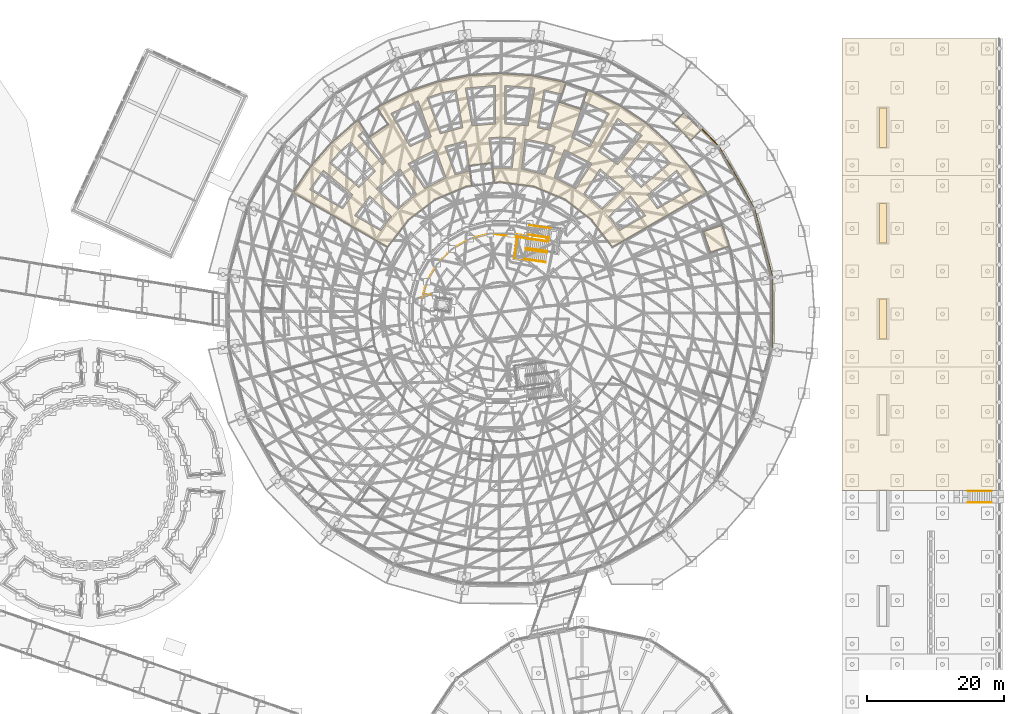
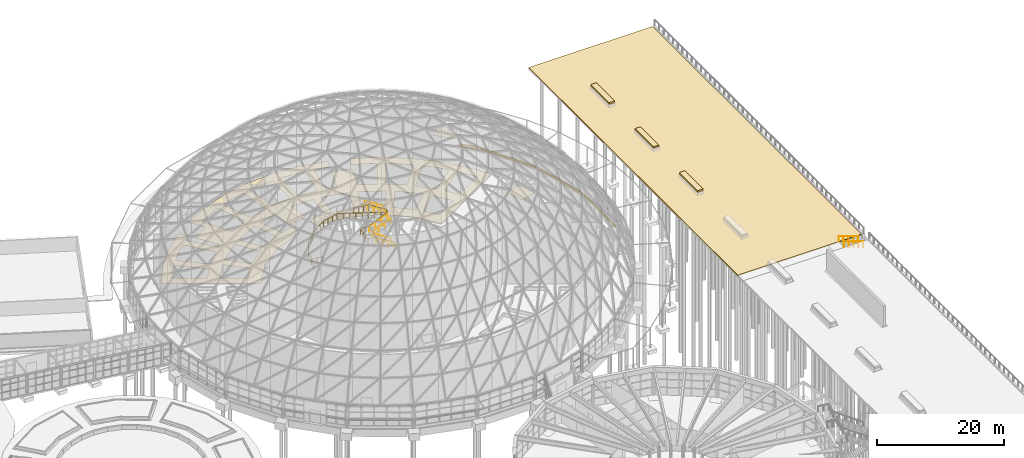
# One storey, part 223 of 226: 11 coverings, 10 railings.
"""IFC4 building model written with IfcOpenShell, lengths in metres."""

import ifcopenshell
import ifcopenshell.guid

model = None  # the IFC model being written
_history = None  # IfcOwnerHistory: only IFC2X3 demands one
_inside = {}  # id of a spatial element -> (the spatial element, [elements in it])
_under = {}  # id of a project, library or spatial element -> (it, [spatial elements below it])
_declared = {}  # id of a project -> (the project, [libraries it declares])
_typed = {}  # id of a type object -> (the type object, [elements of that type])
_made_of = {}  # id of a material, layer set ... -> (it, [elements and type objects made of it])


def new_model(schema):
    """Start an empty IFC model of exactly this schema.

    Asked for "IFC4X3", IfcOpenShell would pick the latest addendum, in which some entities
    have other attributes; the version numbers below select the first issue.
    IFC2X3 requires an IfcOwnerHistory on every rooted entity: one is made here for all.
    """
    global model, _history
    if schema == "IFC4X3":
        model = ifcopenshell.file(schema_version=(4, 3, 0, 0))
    else:
        model = ifcopenshell.file(schema=schema)
    _inside.clear()
    _under.clear()
    _declared.clear()
    _typed.clear()
    _made_of.clear()
    _history = None
    if model.schema == "IFC2X3":
        org = make("IfcOrganization", Name="unknown")
        user = make(
            "IfcPersonAndOrganization",
            ThePerson=make("IfcPerson", FamilyName="unknown"),
            TheOrganization=org,
        )
        app = make(
            "IfcApplication",
            ApplicationDeveloper=org,
            Version="unknown",
            ApplicationFullName="unknown",
            ApplicationIdentifier="unknown",
        )
        _history = make(
            "IfcOwnerHistory",
            OwningUser=user,
            OwningApplication=app,
            ChangeAction="ADDED",
            CreationDate=0,
        )
    return model


def make(cls, **values):
    """One entity of the class cls with the attributes given. An attribute that is None is left unset."""
    return model.create_entity(
        cls, **{name: value for name, value in values.items() if value is not None}
    )


def rooted(cls, **values):
    """An entity with a GlobalId (a new one), such as an element, a storey or a relation."""
    return make(cls, GlobalId=ifcopenshell.guid.new(), OwnerHistory=_history, **values)


def si_unit(unit_type, name, prefix=None):
    """IfcSIUnit, for example si_unit("LENGTHUNIT", "METRE", prefix="MILLI")."""
    return make("IfcSIUnit", UnitType=unit_type, Prefix=prefix, Name=name)


def assignment(units):
    """IfcUnitAssignment: the units of a project."""
    return None if units is None else make("IfcUnitAssignment", Units=units)


def point(xyz):
    """IfcCartesianPoint."""
    return None if xyz is None else make("IfcCartesianPoint", Coordinates=xyz)


def direction(xyz):
    """IfcDirection."""
    return None if xyz is None else make("IfcDirection", DirectionRatios=xyz)


def frame(location, z_axis=None, x_axis=None):
    """IfcAxis2Placement3D, a coordinate frame: its origin and axes. An axis left out is left unset."""
    return make(
        "IfcAxis2Placement3D",
        Location=point(location),
        Axis=direction(z_axis),
        RefDirection=direction(x_axis),
    )


def frame_2d(location, x_axis=None):
    """IfcAxis2Placement2D, a coordinate frame in the plane: its origin and x axis."""
    return make(
        "IfcAxis2Placement2D", Location=point(location), RefDirection=direction(x_axis)
    )


def origin():
    """The frame at (0, 0, 0) with its axes left unset."""
    return frame((0.0, 0.0, 0.0))


def origin_2d():
    """The frame at (0, 0) in the plane with its x axis left unset."""
    return frame_2d((0.0, 0.0))


def place(relative_to, where):
    """IfcLocalPlacement: puts the frame where relative to a parent placement (None: the world)."""
    return make(
        "IfcLocalPlacement", PlacementRelTo=relative_to, RelativePlacement=where
    )


def context(
    kind, dimensions, precision=None, world=None, true_north=None, identifier=None
):
    """IfcGeometricRepresentationContext, for example the 3D "Model" context."""
    return make(
        "IfcGeometricRepresentationContext",
        ContextIdentifier=identifier,
        ContextType=kind,
        CoordinateSpaceDimension=dimensions,
        Precision=precision,
        WorldCoordinateSystem=world,
        TrueNorth=true_north,
    )


def subcontext(parent, identifier, kind, view, scale=None):
    """IfcGeometricRepresentationSubContext, for example "Body" below "Model"."""
    return make(
        "IfcGeometricRepresentationSubContext",
        ContextIdentifier=identifier,
        ContextType=kind,
        ParentContext=parent,
        TargetScale=scale,
        TargetView=view,
    )


def project(units=None, contexts=None):
    """IfcProject with its units and contexts."""
    return rooted(
        "IfcProject",
        Name="project",
        RepresentationContexts=contexts,
        UnitsInContext=assignment(units),
    )


def spatial(cls, under=None, at=None, **own):
    """A site, building, storey or space (cls), placed at a placement, below another one or the project."""
    s = rooted(cls, ObjectPlacement=at, **own)
    if under is not None:
        _under.setdefault(under.id(), (under, []))[1].append(s)
    return s


def polyline(points):
    """IfcPolyline through the points."""
    return make("IfcPolyline", Points=[point(p) for p in points])


def profile(cls, at=None, kind="AREA", **sizes):
    """A parametric profile (cls). Its sizes go by their IFC names, for example OverallWidth=200.0."""
    return make(cls, ProfileType=kind, Position=at, **sizes)


def circle(**sizes):
    """IfcCircleProfileDef."""
    return profile("IfcCircleProfileDef", **sizes)


def outline(outer, holes=None, kind="AREA"):
    """IfcArbitraryClosedProfileDef: a profile drawn as a closed curve; with holes, ...WithVoids."""
    if holes is None:
        return make("IfcArbitraryClosedProfileDef", ProfileType=kind, OuterCurve=outer)
    return make(
        "IfcArbitraryProfileDefWithVoids",
        ProfileType=kind,
        OuterCurve=outer,
        InnerCurves=holes,
    )


def extrude(swept, where, along, depth):
    """IfcExtrudedAreaSolid: the profile swept, set in the frame where, extruded along a direction by depth."""
    return make(
        "IfcExtrudedAreaSolid",
        SweptArea=swept,
        Position=where,
        ExtrudedDirection=direction(along),
        Depth=depth,
    )


def shape(context_of_items, identifier, shape_type, items):
    """IfcShapeRepresentation: the items that make up one representation, for example the "Body"."""
    return make(
        "IfcShapeRepresentation",
        ContextOfItems=context_of_items,
        RepresentationIdentifier=identifier,
        RepresentationType=shape_type,
        Items=items,
    )


def material(Name=None, Category=None):
    """IfcMaterial."""
    return make("IfcMaterial", Name=Name, Category=Category)


def layer(
    of_material, thickness, ventilated=None, Name=None, Category=None, Priority=None
):
    """IfcMaterialLayer: one layer of a wall or slab, of a material (None: an air gap)."""
    return make(
        "IfcMaterialLayer",
        Material=of_material,
        LayerThickness=thickness,
        IsVentilated=ventilated,
        Name=Name,
        Category=Category,
        Priority=Priority,
    )


def layer_set(layers, Name=None):
    """IfcMaterialLayerSet."""
    return make("IfcMaterialLayerSet", MaterialLayers=layers, LayerSetName=Name)


def made_of(thing, what):
    """Note that an element or type object is made of a material, layer set ...; save() writes the relation."""
    if what is not None:
        _made_of.setdefault(what.id(), (what, []))[1].append(thing)
    return thing


def type_object(cls, material=None, **own):
    """A type object (cls), such as IfcWallType, which elements share."""
    return made_of(rooted(cls, **own), material)


def element(
    cls,
    number,
    at=None,
    inside=None,
    cuts=None,
    type_object=None,
    material=None,
    context=None,
    identifier="Body",
    shape_type=None,
    held_by="IfcProductDefinitionShape",
    body=None,
    shapes=None,
    **own,
):
    """One element of the class cls, such as IfcWall. Its Tag is "e" and its number.

    at: its placement. inside: the storey or other place that contains it. cuts: it is an
    opening in that element (IfcRelVoidsElement). A single representation is given by context,
    identifier, shape_type and body (its items); several are given by shapes. held_by: the class
    of the entity that holds the representations. save() writes the other relations.
    """
    e = rooted(cls, Tag="e%d" % number, ObjectPlacement=at, **own)
    if body is not None:
        shapes = [shape(context, identifier, shape_type, body)]
    if shapes is not None:
        e.Representation = make(held_by, Representations=shapes)
    if inside is not None:
        _inside.setdefault(inside.id(), (inside, []))[1].append(e)
    if cuts is not None:
        rooted(
            "IfcRelVoidsElement", RelatingBuildingElement=cuts, RelatedOpeningElement=e
        )
    if type_object is not None:
        _typed.setdefault(type_object.id(), (type_object, []))[1].append(e)
    return made_of(e, material)


def aggregate(whole, parts):
    """IfcRelAggregates: a whole, such as a stair, and the parts it consists of."""
    return rooted("IfcRelAggregates", RelatingObject=whole, RelatedObjects=parts)


def save(model, path):
    """Write the relations noted so far, then the file.

    IfcRelAggregates (storeys below a building ...), IfcRelContainedInSpatialStructure (elements
    in a storey), IfcRelDefinesByType, IfcRelAssociatesMaterial and IfcRelDeclares: one each for
    every whole, place, type object, material and project.
    """
    for whole, parts in _under.values():
        aggregate(whole, parts)
    for where, things in _inside.values():
        rooted(
            "IfcRelContainedInSpatialStructure",
            RelatedElements=things,
            RelatingStructure=where,
        )
    for kind, things in _typed.values():
        rooted("IfcRelDefinesByType", RelatedObjects=things, RelatingType=kind)
    for what, things in _made_of.values():
        rooted("IfcRelAssociatesMaterial", RelatedObjects=things, RelatingMaterial=what)
    for by, libraries in _declared.values():
        rooted("IfcRelDeclares", RelatingContext=by, RelatedDefinitions=libraries)
    model.write(path)


model = new_model("IFC4")

# Units and contexts
model_context = context("Model", 3, precision=1e-05, world=origin(), true_north=direction((0.0, 1.0)))
body_context = subcontext(model_context, "Body", "Model", "MODEL_VIEW")
ifc_project = project(units=[si_unit("LENGTHUNIT", "METRE"), si_unit("AREAUNIT", "SQUARE_METRE"), si_unit("VOLUMEUNIT", "CUBIC_METRE"), si_unit("PLANEANGLEUNIT", "RADIAN"), si_unit("MASSUNIT", "GRAM", prefix="KILO")], contexts=[model_context])

# Site, building, storey
site_placement = place(None, origin())
site = spatial("IfcSite", under=ifc_project, at=site_placement, CompositionType="ELEMENT")
building_placement = place(site_placement, origin())
building = spatial("IfcBuilding", under=site, at=building_placement, Name="Ceibo Conservatory and Research Tower", CompositionType="ELEMENT")
storey_placement = place(building_placement, origin())
storey = spatial("IfcBuildingStorey", under=building, at=storey_placement, Name="L00", CompositionType="ELEMENT", Elevation=0.0)

# Coverings
ifc_material_1 = material(Name="Aluminium ceiling panel", Category="aluminium")
ifc_layer_1 = layer(ifc_material_1, 0.050048828125)
ifc_layer_set_1 = layer_set([ifc_layer_1], Name="Aluminium ceiling panel")
covering_type_1 = type_object("IfcCoveringType", Name="Ceiling panel 50", PredefinedType="CEILING", material=ifc_layer_set_1)
covering_1_placement = place(storey_placement, frame((0.0, 0.0, 2.949951171875)))
element("IfcCovering", 1, at=covering_1_placement, inside=storey, type_object=covering_type_1, Name="Vestibule ceiling A-VC03", PredefinedType="CEILING", context=body_context, shape_type="SweptSolid", body=[
    extrude(outline(polyline([(185.3427734375, 134.55322265625), (182.808349609375, 137.110107421875), (181.3525390625, 135.666748046875), (183.886962890625, 133.110107421875), (185.3427734375, 134.55322265625)])), origin(), (0.0, 0.0, 1.0), 0.050048828125),
])
ifc_material_2 = material(Name="Concrete C35/45", Category="concrete")
ifc_layer_2 = layer(ifc_material_2, 0.14990234375)
ifc_layer_set_2 = layer_set([ifc_layer_2], Name="Concrete C35/45")
covering_type_2 = type_object("IfcCoveringType", Name="Concrete plinth facing 150", PredefinedType="CLADDING", material=ifc_layer_set_2)
covering_2_placement = place(storey_placement, origin())
element("IfcCovering", 2, at=covering_2_placement, inside=storey, type_object=covering_type_2, Name="Drum plinth facing A-PL01", PredefinedType="CLADDING", context=body_context, shape_type="SweptSolid", body=[
    extrude(outline(polyline([(195.705810546875, 113.264892578125), (193.150634765625, 122.9697265625), (193.2958984375, 123.008056640625), (195.850830078125, 113.302978515625), (195.705810546875, 113.264892578125)])), origin(), (0.0, 0.0, 1.0), 0.5),
])
covering_3_placement = place(storey_placement, origin())
element("IfcCovering", 3, at=covering_3_placement, inside=storey, type_object=covering_type_2, Name="Drum plinth facing A-PL02", PredefinedType="CLADDING", context=body_context, shape_type="SweptSolid", body=[
    extrude(outline(polyline([(192.990234375, 123.362060546875), (188.010498046875, 132.074951171875), (188.140625, 132.1494140625), (193.12060546875, 123.4365234375), (192.990234375, 123.362060546875)])), origin(), (0.0, 0.0, 1.0), 0.5),
])
covering_4_placement = place(storey_placement, origin())
element("IfcCovering", 4, at=covering_4_placement, inside=storey, type_object=covering_type_2, Name="Drum plinth facing A-PL03", PredefinedType="CLADDING", context=body_context, shape_type="SweptSolid", body=[
    extrude(outline(polyline([(187.75390625, 132.412353515625), (185.48828125, 134.69775390625), (185.594970703125, 134.80322265625), (187.8603515625, 132.51806640625), (187.75390625, 132.412353515625)])), origin(), (0.0, 0.0, 1.0), 0.5),
])
covering_5_placement = place(storey_placement, origin())
element("IfcCovering", 5, at=covering_5_placement, inside=storey, type_object=covering_type_2, Name="Drum plinth facing A-PL30", PredefinedType="CLADDING", context=body_context, shape_type="SweptSolid", body=[
    extrude(outline(polyline([(195.715576171875, 102.808837890625), (195.75927734375, 112.844482421875), (195.9091796875, 112.84375), (195.865478515625, 102.80810546875), (195.715576171875, 102.808837890625)])), origin(), (0.0, 0.0, 1.0), 0.5),
])

# Railings
ifc_material_3 = material(Name="Stainless steel AISI 316", Category="steel")
railing_type_1 = type_object("IfcRailingType", Name="Conservatory guard 1100", PredefinedType="GUARDRAIL", material=ifc_material_3)
railing_1_placement = place(storey_placement, frame((163.09130859375, 118.364013671875, 4.0)))
element("IfcRailing", 6, at=railing_1_placement, inside=storey, type_object=railing_type_1, Name="Guard walkway stair 1 landing", PredefinedType="GUARDRAIL", context=body_context, shape_type="SweptSolid", body=[
    extrude(circle(Radius=0.02392578125, at=origin_2d()), frame((0.0, 0.0, 1.076171875), z_axis=(-0.850947260664, 0.119539937762, -0.511467460204), x_axis=(-0.139112730934, -0.990276551319, 0.0)), (0.0, 0.0, 1.0), 3.584228515625),
    extrude(circle(Radius=0.02392578125, at=origin_2d()), frame((-3.050048828125, 0.428466796875, -0.75732421875), z_axis=(-0.984206166435, 0.138312996762, -0.110488627823), x_axis=(-0.139165050317, -0.990269200152, 0.0)), (0.0, 0.0, 1.0), 1.50927734375),
    extrude(circle(Radius=0.02392578125, at=origin_2d()), frame((-4.535400390625, 0.63720703125, -0.923828125), z_axis=(-0.139160708979, -0.990269810242, 0.0), x_axis=(0.990269810242, -0.139160708979, 0.0)), (0.0, 0.0, 1.0), 3.10009765625),
    extrude(circle(Radius=0.02392578125, at=origin_2d()), frame((-4.966796875, -2.4326171875, -0.923828125), z_axis=(0.990269200152, -0.139165050317, 0.0), x_axis=(0.139165050317, 0.990269200152, 0.0)), (0.0, 0.0, 1.0), 1.5),
    extrude(circle(Radius=0.02392578125, at=origin_2d()), frame((-3.4814453125, -2.641357421875, -0.923828125), z_axis=(0.850947260664, -0.119539937762, -0.511467460204), x_axis=(0.139112730934, 0.990276551319, 0.0)), (0.0, 0.0, 1.0), 3.584228515625),
    extrude(circle(Radius=0.02099609375, at=origin_2d()), origin(), (0.0, 0.0, 1.0), 1.052001953125),
    extrude(circle(Radius=0.02099609375, at=origin_2d()), frame((-1.0166015625, 0.142822265625, -0.611083984375)), (0.0, 0.0, 1.0), 1.052001953125),
    extrude(circle(Radius=0.02099609375, at=origin_2d()), frame((-2.033447265625, 0.28564453125, -1.22216796875)), (0.0, 0.0, 1.0), 1.052001953125),
    extrude(circle(Radius=0.02099609375, at=origin_2d()), frame((-3.050048828125, 0.428466796875, -1.833251953125)), (0.0, 0.0, 1.0), 1.052001953125),
    extrude(circle(Radius=0.02099609375, at=origin_2d()), frame((-3.792724609375, 0.53271484375, -1.91650390625)), (0.0, 0.0, 1.0), 1.052001953125),
    extrude(circle(Radius=0.02099609375, at=origin_2d()), frame((-4.535400390625, 0.63720703125, -2.0)), (0.0, 0.0, 1.0), 1.052001953125),
    extrude(circle(Radius=0.02099609375, at=origin_2d()), frame((-4.67919921875, -0.385986328125, -2.0)), (0.0, 0.0, 1.0), 1.052001953125),
    extrude(circle(Radius=0.02099609375, at=origin_2d()), frame((-4.822998046875, -1.409423828125, -2.0)), (0.0, 0.0, 1.0), 1.052001953125),
    extrude(circle(Radius=0.02099609375, at=origin_2d()), frame((-4.966796875, -2.4326171875, -2.0)), (0.0, 0.0, 1.0), 1.052001953125),
    extrude(circle(Radius=0.02099609375, at=origin_2d()), frame((-4.22412109375, -2.537109375, -2.0)), (0.0, 0.0, 1.0), 1.052001953125),
    extrude(circle(Radius=0.02099609375, at=origin_2d()), frame((-3.4814453125, -2.641357421875, -2.0)), (0.0, 0.0, 1.0), 1.052001953125),
    extrude(circle(Radius=0.02099609375, at=origin_2d()), frame((-2.46484375, -2.7841796875, -2.611083984375)), (0.0, 0.0, 1.0), 1.052001953125),
    extrude(circle(Radius=0.02099609375, at=origin_2d()), frame((-1.447998046875, -2.927001953125, -3.22216796875)), (0.0, 0.0, 1.0), 1.052001953125),
    extrude(circle(Radius=0.02099609375, at=origin_2d()), frame((-0.431396484375, -3.06982421875, -3.833251953125)), (0.0, 0.0, 1.0), 1.052001953125),
])
railing_2_placement = place(storey_placement, frame((157.614501953125, 119.487060546875, 6.0)))
element("IfcRailing", 7, at=railing_2_placement, inside=storey, type_object=railing_type_1, Name="Canopy walkway guard inner side west", PredefinedType="GUARDRAIL", context=body_context, shape_type="SweptSolid", body=[
    extrude(circle(Radius=0.02392578125, at=origin_2d()), frame((0.0, 0.0, 1.076171875), z_axis=(0.990269200152, -0.139165050317, 0.0), x_axis=(0.139165050317, 0.990269200152, 0.0)), (0.0, 0.0, 1.0), 2.5),
    extrude(circle(Radius=0.02392578125, at=origin_2d()), frame((2.4755859375, -0.347900390625, 1.076171875), z_axis=(0.138456131972, 0.990368567514, 0.0), x_axis=(-0.990368567514, 0.138456131972, 0.0)), (0.0, 0.0, 1.0), 0.14990234375),
    extrude(circle(Radius=0.02392578125, at=origin_2d()), frame((2.496337890625, -0.199462890625, 1.076171875), z_axis=(0.850947260664, -0.119539937762, -0.511467460204), x_axis=(0.139112730934, 0.990276551319, 0.0)), (0.0, 0.0, 1.0), 3.584228515625),
    extrude(circle(Radius=0.02392578125, at=origin_2d()), frame((5.54638671875, -0.6279296875, -0.75732421875), z_axis=(-0.132016646645, -0.939402664544, -0.316376735643), x_axis=(0.990269200152, -0.139165050317, 0.0)), (0.0, 0.0, 1.0), 0.527099609375),
    extrude(circle(Radius=0.02392578125, at=origin_2d()), frame((5.476806640625, -1.123046875, -0.923828125), z_axis=(-0.965275699868, 0.130021807022, 0.226577035339), x_axis=(-0.133493540428, -0.991049683247, 0.0)), (0.0, 0.0, 1.0), 8.826904296875),
    extrude(circle(Radius=0.02392578125, at=origin_2d()), frame((-3.043701171875, 0.024658203125, 1.076171875), z_axis=(-0.96763430702, -0.252356588733, 0.0), x_axis=(0.252356588733, -0.96763430702, 0.0)), (0.0, 0.0, 1.0), 3.04345703125),
    extrude(circle(Radius=0.02392578125, at=origin_2d()), frame((-5.98876953125, -0.743408203125, 1.076171875), z_axis=(-0.868711694482, -0.495318071415, 0.0), x_axis=(0.495318071415, -0.868711694482, 0.0)), (0.0, 0.0, 1.0), 3.043701171875),
    extrude(circle(Radius=0.02392578125, at=origin_2d()), frame((-8.6328125, -2.2509765625, 1.076171875), z_axis=(-0.709948542218, -0.704253553347, 0.0), x_axis=(0.704253553347, -0.709948542218, 0.0)), (0.0, 0.0, 1.0), 3.043701171875),
    extrude(circle(Radius=0.02392578125, at=origin_2d()), frame((-10.793701171875, -4.39453125, 1.076171875), z_axis=(-0.502294187222, -0.864696796272, 0.0), x_axis=(0.864696796272, -0.502294187222, 0.0)), (0.0, 0.0, 1.0), 3.043701171875),
    extrude(circle(Radius=0.02392578125, at=origin_2d()), frame((-12.322509765625, -7.0263671875, 1.076171875), z_axis=(-0.260123049311, -0.965575475671, 0.0), x_axis=(0.965575475671, -0.260123049311, 0.0)), (0.0, 0.0, 1.0), 3.043701171875),
    extrude(circle(Radius=0.02392578125, at=origin_2d()), frame((-13.1142578125, -9.96533203125, 1.076171875), z_axis=(0.260124418489, 0.965575106818, 0.0), x_axis=(-0.965575106818, 0.260124418489, 0.0)), (0.0, 0.0, 1.0), 1.16015625),
    extrude(circle(Radius=0.02392578125, at=origin_2d()), frame((-12.8125, -8.84521484375, 1.076171875), z_axis=(0.991355524199, -0.131202990208, 0.0), x_axis=(0.131202990208, 0.991355524199, 0.0)), (0.0, 0.0, 1.0), 1.84765625),
    extrude(circle(Radius=0.02099609375, at=origin_2d()), origin(), (0.0, 0.0, 1.0), 1.052001953125),
    extrude(circle(Radius=0.02099609375, at=origin_2d()), frame((0.8251953125, -0.115966796875, 0.0)), (0.0, 0.0, 1.0), 1.052001953125),
    extrude(circle(Radius=0.02099609375, at=origin_2d()), frame((1.650390625, -0.23193359375, 0.0)), (0.0, 0.0, 1.0), 1.052001953125),
    extrude(circle(Radius=0.02099609375, at=origin_2d()), frame((2.4755859375, -0.347900390625, 0.0)), (0.0, 0.0, 1.0), 1.052001953125),
    extrude(circle(Radius=0.02099609375, at=origin_2d()), frame((2.496337890625, -0.199462890625, 0.0)), (0.0, 0.0, 1.0), 1.052001953125),
    extrude(circle(Radius=0.02099609375, at=origin_2d()), frame((3.512939453125, -0.34228515625, -0.611083984375)), (0.0, 0.0, 1.0), 1.052001953125),
    extrude(circle(Radius=0.02099609375, at=origin_2d()), frame((4.52978515625, -0.485107421875, -1.22216796875)), (0.0, 0.0, 1.0), 1.052001953125),
    extrude(circle(Radius=0.02099609375, at=origin_2d()), frame((5.54638671875, -0.6279296875, -1.833251953125)), (0.0, 0.0, 1.0), 1.052001953125),
    extrude(circle(Radius=0.02099609375, at=origin_2d()), frame((5.476806640625, -1.123046875, -2.0)), (0.0, 0.0, 1.0), 1.052001953125),
    extrude(circle(Radius=0.02099609375, at=origin_2d()), frame((4.41162109375, -0.9794921875, -1.75)), (0.0, 0.0, 1.0), 1.052001953125),
    extrude(circle(Radius=0.02099609375, at=origin_2d()), frame((3.3466796875, -0.836181640625, -1.5)), (0.0, 0.0, 1.0), 1.052001953125),
    extrude(circle(Radius=0.02099609375, at=origin_2d()), frame((2.28173828125, -0.692626953125, -1.25)), (0.0, 0.0, 1.0), 1.052001953125),
    extrude(circle(Radius=0.02099609375, at=origin_2d()), frame((1.216552734375, -0.54931640625, -1.0)), (0.0, 0.0, 1.0), 1.052001953125),
    extrude(circle(Radius=0.02099609375, at=origin_2d()), frame((0.1513671875, -0.40576171875, -0.75)), (0.0, 0.0, 1.0), 1.052001953125),
    extrude(circle(Radius=0.02099609375, at=origin_2d()), frame((-0.91357421875, -0.26220703125, -0.5)), (0.0, 0.0, 1.0), 1.052001953125),
    extrude(circle(Radius=0.02099609375, at=origin_2d()), frame((-1.978515625, -0.118896484375, -0.25)), (0.0, 0.0, 1.0), 1.052001953125),
    extrude(circle(Radius=0.02099609375, at=origin_2d()), frame((-3.043701171875, 0.024658203125, 0.0)), (0.0, 0.0, 1.0), 1.052001953125),
    extrude(circle(Radius=0.02099609375, at=origin_2d()), frame((-4.025390625, -0.2314453125, 0.0)), (0.0, 0.0, 1.0), 1.052001953125),
    extrude(circle(Radius=0.02099609375, at=origin_2d()), frame((-5.007080078125, -0.4873046875, 0.0)), (0.0, 0.0, 1.0), 1.052001953125),
    extrude(circle(Radius=0.02099609375, at=origin_2d()), frame((-5.98876953125, -0.743408203125, 0.0)), (0.0, 0.0, 1.0), 1.052001953125),
    extrude(circle(Radius=0.02099609375, at=origin_2d()), frame((-6.8701171875, -1.245849609375, 0.0)), (0.0, 0.0, 1.0), 1.052001953125),
    extrude(circle(Radius=0.02099609375, at=origin_2d()), frame((-7.75146484375, -1.74853515625, 0.0)), (0.0, 0.0, 1.0), 1.052001953125),
    extrude(circle(Radius=0.02099609375, at=origin_2d()), frame((-8.6328125, -2.2509765625, 0.0)), (0.0, 0.0, 1.0), 1.052001953125),
    extrude(circle(Radius=0.02099609375, at=origin_2d()), frame((-9.35302734375, -2.965576171875, 0.0)), (0.0, 0.0, 1.0), 1.052001953125),
    extrude(circle(Radius=0.02099609375, at=origin_2d()), frame((-10.073486328125, -3.679931640625, 0.0)), (0.0, 0.0, 1.0), 1.052001953125),
    extrude(circle(Radius=0.02099609375, at=origin_2d()), frame((-10.793701171875, -4.39453125, 0.0)), (0.0, 0.0, 1.0), 1.052001953125),
    extrude(circle(Radius=0.02099609375, at=origin_2d()), frame((-11.30322265625, -5.271728515625, 0.0)), (0.0, 0.0, 1.0), 1.052001953125),
    extrude(circle(Radius=0.02099609375, at=origin_2d()), frame((-11.81298828125, -6.149169921875, 0.0)), (0.0, 0.0, 1.0), 1.052001953125),
    extrude(circle(Radius=0.02099609375, at=origin_2d()), frame((-12.322509765625, -7.0263671875, 0.0)), (0.0, 0.0, 1.0), 1.052001953125),
    extrude(circle(Radius=0.02099609375, at=origin_2d()), frame((-12.58642578125, -8.006103515625, 0.0)), (0.0, 0.0, 1.0), 1.052001953125),
    extrude(circle(Radius=0.02099609375, at=origin_2d()), frame((-12.850341796875, -8.985595703125, 0.0)), (0.0, 0.0, 1.0), 1.052001953125),
    extrude(circle(Radius=0.02099609375, at=origin_2d()), frame((-13.1142578125, -9.96533203125, 0.0)), (0.0, 0.0, 1.0), 1.052001953125),
    extrude(circle(Radius=0.02099609375, at=origin_2d()), frame((-12.8125, -8.84521484375, 0.0)), (0.0, 0.0, 1.0), 1.052001953125),
    extrude(circle(Radius=0.02099609375, at=origin_2d()), frame((-11.896484375, -8.96630859375, 0.0)), (0.0, 0.0, 1.0), 1.052001953125),
    extrude(circle(Radius=0.02099609375, at=origin_2d()), frame((-10.980712890625, -9.087646484375, 0.0)), (0.0, 0.0, 1.0), 1.052001953125),
])
railing_type_2 = type_object("IfcRailingType", Name="Conservatory handrail 900", PredefinedType="HANDRAIL", material=ifc_material_3)
railing_3_placement = place(storey_placement, frame((162.66845703125, 115.353515625, 0.166748046875)))
element("IfcRailing", 8, at=railing_3_placement, inside=storey, type_object=railing_type_2, Name="Handrail walkway stair 1 flight 1", PredefinedType="HANDRAIL", context=body_context, shape_type="SweptSolid", body=[
    extrude(circle(Radius=0.02392578125, at=origin_2d()), frame((0.0, 0.0, 0.8759765625), z_axis=(-0.850940330078, 0.119607077533, 0.511463294529), x_axis=(-0.139190462168, -0.990265628628, 0.0)), (0.0, 0.0, 1.0), 3.584228515625),
    extrude(circle(Radius=0.02099609375, at=origin_2d()), origin(), (0.0, 0.0, 1.0), 0.851806640625),
    extrude(circle(Radius=0.02099609375, at=origin_2d()), frame((-1.0166015625, 0.142822265625, 0.611083984375)), (0.0, 0.0, 1.0), 0.851806640625),
    extrude(circle(Radius=0.02099609375, at=origin_2d()), frame((-2.033447265625, 0.285888671875, 1.22216796875)), (0.0, 0.0, 1.0), 0.851806640625),
    extrude(circle(Radius=0.02099609375, at=origin_2d()), frame((-3.050048828125, 0.4287109375, 1.833251953125)), (0.0, 0.0, 1.0), 0.851806640625),
])
railing_4_placement = place(storey_placement, frame((162.8603515625, 116.72021484375, 0.166748046875)))
element("IfcRailing", 9, at=railing_4_placement, inside=storey, type_object=railing_type_2, Name="Handrail walkway stair 1 flight 1", PredefinedType="HANDRAIL", context=body_context, shape_type="SweptSolid", body=[
    extrude(circle(Radius=0.02392578125, at=origin_2d()), frame((0.0, 0.0, 0.8759765625), z_axis=(-0.850947260664, 0.119539937762, 0.511467460204), x_axis=(-0.139112730934, -0.990276551319, 0.0)), (0.0, 0.0, 1.0), 3.584228515625),
    extrude(circle(Radius=0.02099609375, at=origin_2d()), origin(), (0.0, 0.0, 1.0), 0.851806640625),
    extrude(circle(Radius=0.02099609375, at=origin_2d()), frame((-1.0166015625, 0.142822265625, 0.611083984375)), (0.0, 0.0, 1.0), 0.851806640625),
    extrude(circle(Radius=0.02099609375, at=origin_2d()), frame((-2.033447265625, 0.28564453125, 1.22216796875)), (0.0, 0.0, 1.0), 0.851806640625),
    extrude(circle(Radius=0.02099609375, at=origin_2d()), frame((-3.050048828125, 0.428466796875, 1.833251953125)), (0.0, 0.0, 1.0), 0.851806640625),
])
railing_5_placement = place(storey_placement, frame((160.032958984375, 118.733154296875, 2.166748046875)))
element("IfcRailing", 10, at=railing_5_placement, inside=storey, type_object=railing_type_2, Name="Handrail walkway stair 1 flight 2", PredefinedType="HANDRAIL", context=body_context, shape_type="SweptSolid", body=[
    extrude(circle(Radius=0.02392578125, at=origin_2d()), frame((0.0, 0.0, 0.8759765625), z_axis=(0.850940330078, -0.119607077533, 0.511463294529), x_axis=(0.139190462168, 0.990265628628, 0.0)), (0.0, 0.0, 1.0), 3.584228515625),
    extrude(circle(Radius=0.02099609375, at=origin_2d()), origin(), (0.0, 0.0, 1.0), 0.851806640625),
    extrude(circle(Radius=0.02099609375, at=origin_2d()), frame((1.0166015625, -0.142822265625, 0.611083984375)), (0.0, 0.0, 1.0), 0.851806640625),
    extrude(circle(Radius=0.02099609375, at=origin_2d()), frame((2.033447265625, -0.285888671875, 1.22216796875)), (0.0, 0.0, 1.0), 0.851806640625),
    extrude(circle(Radius=0.02099609375, at=origin_2d()), frame((3.050048828125, -0.4287109375, 1.833251953125)), (0.0, 0.0, 1.0), 0.851806640625),
])
railing_6_placement = place(storey_placement, frame((159.841064453125, 117.366455078125, 2.166748046875)))
element("IfcRailing", 11, at=railing_6_placement, inside=storey, type_object=railing_type_2, Name="Handrail walkway stair 1 flight 2", PredefinedType="HANDRAIL", context=body_context, shape_type="SweptSolid", body=[
    extrude(circle(Radius=0.02392578125, at=origin_2d()), frame((0.0, 0.0, 0.8759765625), z_axis=(0.850947260664, -0.119539937762, 0.511467460204), x_axis=(0.139112730934, 0.990276551319, 0.0)), (0.0, 0.0, 1.0), 3.584228515625),
    extrude(circle(Radius=0.02099609375, at=origin_2d()), origin(), (0.0, 0.0, 1.0), 0.851806640625),
    extrude(circle(Radius=0.02099609375, at=origin_2d()), frame((1.0166015625, -0.142822265625, 0.611083984375)), (0.0, 0.0, 1.0), 0.851806640625),
    extrude(circle(Radius=0.02099609375, at=origin_2d()), frame((2.033447265625, -0.28564453125, 1.22216796875)), (0.0, 0.0, 1.0), 0.851806640625),
    extrude(circle(Radius=0.02099609375, at=origin_2d()), frame((3.050048828125, -0.428466796875, 1.833251953125)), (0.0, 0.0, 1.0), 0.851806640625),
])
railing_7_placement = place(storey_placement, frame((163.16943359375, 118.91845703125, 4.166748046875)))
element("IfcRailing", 12, at=railing_7_placement, inside=storey, type_object=railing_type_2, Name="Handrail walkway stair 1 flight 3", PredefinedType="HANDRAIL", context=body_context, shape_type="SweptSolid", body=[
    extrude(circle(Radius=0.02392578125, at=origin_2d()), frame((0.0, 0.0, 0.8759765625), z_axis=(-0.850940330078, 0.119607077533, 0.511463294529), x_axis=(-0.139190462168, -0.990265628628, 0.0)), (0.0, 0.0, 1.0), 3.584228515625),
    extrude(circle(Radius=0.02099609375, at=origin_2d()), origin(), (0.0, 0.0, 1.0), 0.851806640625),
    extrude(circle(Radius=0.02099609375, at=origin_2d()), frame((-1.0166015625, 0.142822265625, 0.611083984375)), (0.0, 0.0, 1.0), 0.851806640625),
    extrude(circle(Radius=0.02099609375, at=origin_2d()), frame((-2.033447265625, 0.285888671875, 1.22216796875)), (0.0, 0.0, 1.0), 0.851806640625),
    extrude(circle(Radius=0.02099609375, at=origin_2d()), frame((-3.050048828125, 0.4287109375, 1.833251953125)), (0.0, 0.0, 1.0), 0.851806640625),
])
railing_8_placement = place(storey_placement, frame((163.361328125, 120.28515625, 4.166748046875)))
element("IfcRailing", 13, at=railing_8_placement, inside=storey, type_object=railing_type_2, Name="Handrail walkway stair 1 flight 3", PredefinedType="HANDRAIL", context=body_context, shape_type="SweptSolid", body=[
    extrude(circle(Radius=0.02392578125, at=origin_2d()), frame((0.0, 0.0, 0.8759765625), z_axis=(-0.850947260664, 0.119539937762, 0.511467460204), x_axis=(-0.139112730934, -0.990276551319, 0.0)), (0.0, 0.0, 1.0), 3.584228515625),
    extrude(circle(Radius=0.02099609375, at=origin_2d()), origin(), (0.0, 0.0, 1.0), 0.851806640625),
    extrude(circle(Radius=0.02099609375, at=origin_2d()), frame((-1.0166015625, 0.142822265625, 0.611083984375)), (0.0, 0.0, 1.0), 0.851806640625),
    extrude(circle(Radius=0.02099609375, at=origin_2d()), frame((-2.033447265625, 0.28564453125, 1.22216796875)), (0.0, 0.0, 1.0), 0.851806640625),
    extrude(circle(Radius=0.02099609375, at=origin_2d()), frame((-3.050048828125, 0.428466796875, 1.833251953125)), (0.0, 0.0, 1.0), 0.851806640625),
])

# Coverings
ifc_material_4 = material(Name="Granite paving", Category="masonry")
ifc_layer_3 = layer(ifc_material_4, 0.02001953125)
ifc_layer_set_3 = layer_set([ifc_layer_3], Name="Granite paving")
covering_type_3 = type_object("IfcCoveringType", Name="Paving 20", PredefinedType="FLOORING", material=ifc_layer_set_3)
covering_6_placement = place(storey_placement, origin())
element("IfcCovering", 14, at=covering_6_placement, inside=storey, type_object=covering_type_3, Name="Path paving A-PV03", PredefinedType="FLOORING", context=body_context, shape_type="SweptSolid", body=[
    extrude(outline(polyline([(138.550048828125, 138.22412109375), (138.06591796875, 137.89990234375), (139.64990234375, 135.530029296875), (139.7041015625, 135.447998046875), (136.8779296875, 133.55810546875), (139.278076171875, 129.966064453125), (138.820068359375, 129.56396484375), (135.22607421875, 133.845947265625), (136.181884765625, 134.60205078125), (135.238037109375, 136.011962890625), (134.75390625, 135.68798828125), (131.322021484375, 132.677978515625), (128.31201171875, 129.24609375), (125.803955078125, 125.491943359375), (126.580078125, 125.0439453125), (130.0439453125, 123.0439453125), (134.3740234375, 120.5439453125), (139.531982421875, 117.56591796875), (142.52587890625, 121.466064453125), (142.56396484375, 121.43603515625), (142.533935546875, 121.47412109375), (146.469970703125, 124.493896484375), (146.5, 124.4541015625), (146.47998046875, 124.5), (151.06396484375, 126.39794921875), (151.08203125, 126.35205078125), (151.075927734375, 126.402099609375), (151.85009765625, 126.50390625), (151.56201171875, 128.68603515625), (149.426025390625, 128.10791015625), (147.924072265625, 132.236083984375), (150.988037109375, 133.048095703125), (151.464111328125, 129.427978515625), (154.8359375, 129.8720703125), (154.35791015625, 133.491943359375), (156.0, 133.60009765625), (158.27001953125, 133.451904296875), (157.760009765625, 129.083984375), (154.931884765625, 129.1298828125), (155.219970703125, 126.947998046875), (155.993896484375, 127.050048828125), (156.0, 127.0), (156.006103515625, 127.050048828125), (160.924072265625, 126.402099609375), (160.91796875, 126.35205078125), (160.93603515625, 126.39794921875), (165.52001953125, 124.5), (165.5, 124.4541015625), (165.530029296875, 124.493896484375), (169.466064453125, 121.47412109375), (169.43603515625, 121.43603515625), (169.47412109375, 121.466064453125), (172.468017578125, 117.56591796875), (177.6259765625, 120.5439453125), (181.9560546875, 123.0439453125), (185.419921875, 125.0439453125), (186.196044921875, 125.491943359375), (183.68798828125, 129.24609375), (180.677978515625, 132.677978515625), (177.24609375, 135.68798828125), (173.449951171875, 138.22412109375), (169.35595703125, 140.243896484375), (168.803955078125, 140.429931640625), (168.258056640625, 138.823974609375), (171.969970703125, 137.06201171875), (169.169921875, 132.2119140625), (166.468017578125, 133.5458984375), (167.85595703125, 137.637939453125), (164.635986328125, 138.72998046875), (163.248046875, 134.637939453125), (161.469970703125, 134.991943359375), (162.43994140625, 140.49609375), (165.0400390625, 139.91796875), (165.583984375, 141.52392578125), (165.031982421875, 141.7099609375), (160.555908203125, 142.60205078125), (156.0, 142.89990234375), (151.444091796875, 142.60205078125), (146.968017578125, 141.7099609375), (142.64404296875, 140.243896484375), (138.550048828125, 138.22412109375)]), holes=[polyline([(181.845947265625, 128.77392578125), (183.862060546875, 125.93408203125), (179.011962890625, 123.134033203125), (177.56396484375, 125.179931640625), (181.845947265625, 128.77392578125)]), polyline([(179.47607421875, 131.47607421875), (180.922119140625, 129.825927734375), (176.639892578125, 126.23388671875), (174.23388671875, 128.639892578125), (177.825927734375, 132.922119140625), (179.47607421875, 131.47607421875)]), polyline([(175.055908203125, 125.01611328125), (177.280029296875, 122.134033203125), (173.468017578125, 119.93408203125), (171.860107421875, 122.0), (175.055908203125, 125.01611328125)]), polyline([(173.18408203125, 136.362060546875), (176.77392578125, 133.845947265625), (173.179931640625, 129.56396484375), (170.384033203125, 131.511962890625), (173.18408203125, 136.362060546875)]), polyline([(168.2060546875, 125.285888671875), (170.6201171875, 128.9541015625), (174.135986328125, 126.072021484375), (170.927978515625, 123.0458984375), (168.2060546875, 125.285888671875)]), polyline([(165.402099609375, 131.785888671875), (169.4560546875, 129.73193359375), (167.0419921875, 126.06396484375), (163.909912109375, 127.68603515625), (165.402099609375, 131.785888671875)]), polyline([(164.075927734375, 132.236083984375), (162.573974609375, 128.10791015625), (159.152099609375, 128.94189453125), (159.6640625, 133.31591796875), (162.6259765625, 132.72802734375), (164.075927734375, 132.236083984375)]), polyline([(156.699951171875, 135.553955078125), (156.699951171875, 141.154052734375), (161.068115234375, 140.77001953125), (160.095947265625, 135.26611328125), (156.699951171875, 135.553955078125)]), polyline([(151.904052734375, 135.26611328125), (150.931884765625, 140.77001953125), (155.300048828125, 141.154052734375), (155.300048828125, 135.553955078125), (151.904052734375, 135.26611328125)]), polyline([(147.407958984375, 140.068115234375), (149.56005859375, 140.49609375), (150.530029296875, 134.991943359375), (147.241943359375, 134.112060546875), (145.330078125, 139.364013671875), (147.407958984375, 140.068115234375)]), polyline([(144.9580078125, 126.06396484375), (142.5439453125, 129.73193359375), (146.597900390625, 131.785888671875), (148.090087890625, 127.68603515625), (144.9580078125, 126.06396484375)]), polyline([(142.830078125, 132.2119140625), (140.030029296875, 137.06201171875), (144.00390625, 138.9140625), (145.916015625, 133.662109375), (142.830078125, 132.2119140625)]), polyline([(141.3798828125, 128.9541015625), (143.7939453125, 125.285888671875), (141.072021484375, 123.0458984375), (137.864013671875, 126.072021484375), (141.3798828125, 128.9541015625)]), polyline([(138.531982421875, 119.93408203125), (134.719970703125, 122.134033203125), (136.944091796875, 125.01611328125), (140.139892578125, 122.0), (138.531982421875, 119.93408203125)]), polyline([(132.52392578125, 131.47607421875), (134.174072265625, 132.922119140625), (137.76611328125, 128.639892578125), (135.360107421875, 126.23388671875), (131.077880859375, 129.825927734375), (132.52392578125, 131.47607421875)]), polyline([(132.988037109375, 123.134033203125), (128.137939453125, 125.93408203125), (130.154052734375, 128.77392578125), (134.43603515625, 125.179931640625), (132.988037109375, 123.134033203125)])]), origin(), (0.0, 0.0, 1.0), 0.02001953125),
])
covering_7_placement = place(storey_placement, origin())
element("IfcCovering", 15, at=covering_7_placement, inside=storey, type_object=covering_type_3, Name="Path paving A-PV14", PredefinedType="FLOORING", context=body_context, shape_type="SweptSolid", body=[
    extrude(outline(polyline([(189.471923828125, 117.672119140625), (189.491943359375, 117.679931640625), (188.4619140625, 120.7099609375), (188.444091796875, 120.701904296875), (185.763916015625, 119.7939453125), (186.7919921875, 116.761962890625), (189.471923828125, 117.672119140625)])), origin(), (0.0, 0.0, 1.0), 0.02001953125),
])
ifc_material_5 = material(Name="Planting soil")
ifc_layer_4 = layer(ifc_material_5, 0.300048828125)
ifc_layer_set_4 = layer_set([ifc_layer_4], Name="Planting soil")
covering_type_4 = type_object("IfcCoveringType", Name="Planting bed soil 300", PredefinedType="FLOORING", material=ifc_layer_set_4)
covering_8_placement = place(storey_placement, frame((0.0, 0.0, 0.60009765625)))
element("IfcCovering", 16, at=covering_8_placement, inside=storey, type_object=covering_type_4, Name="Planting bed 7", PredefinedType="FLOORING", context=body_context, shape_type="SweptSolid", body=[
    extrude(outline(polyline([(211.5, 104.10009765625), (212.5, 104.10009765625), (212.5, 109.89990234375), (211.5, 109.89990234375), (211.5, 104.10009765625)])), origin(), (0.0, 0.0, 1.0), 0.2998046875),
])
covering_9_placement = place(storey_placement, frame((0.0, 0.0, 0.60009765625)))
element("IfcCovering", 17, at=covering_9_placement, inside=storey, type_object=covering_type_4, Name="Planting bed 8", PredefinedType="FLOORING", context=body_context, shape_type="SweptSolid", body=[
    extrude(outline(polyline([(211.5, 118.10009765625), (212.5, 118.10009765625), (212.5, 123.89990234375), (211.5, 123.89990234375), (211.5, 118.10009765625)])), origin(), (0.0, 0.0, 1.0), 0.2998046875),
])
covering_10_placement = place(storey_placement, frame((0.0, 0.0, 0.60009765625)))
element("IfcCovering", 18, at=covering_10_placement, inside=storey, type_object=covering_type_4, Name="Planting bed 9", PredefinedType="FLOORING", context=body_context, shape_type="SweptSolid", body=[
    extrude(outline(polyline([(211.5, 132.10009765625), (212.5, 132.10009765625), (212.5, 137.89990234375), (211.5, 137.89990234375), (211.5, 132.10009765625)])), origin(), (0.0, 0.0, 1.0), 0.2998046875),
])
ifc_layer_5 = layer(ifc_material_4, 0.14990234375)
ifc_layer_set_5 = layer_set([ifc_layer_5], Name="Granite paving")
covering_type_5 = type_object("IfcCoveringType", Name="Promenade paving 150", PredefinedType="USERDEFINED", material=ifc_layer_set_5)
covering_11_placement = place(storey_placement, frame((0.0, 0.0, -0.14990234375)))
element("IfcCovering", 19, at=covering_11_placement, inside=storey, type_object=covering_type_5, Name="Quay walk paving north", ObjectType="PAVING", PredefinedType="USERDEFINED", context=body_context, shape_type="SweptSolid", body=[
    extrude(outline(polyline([(206.0, 81.89990234375), (228.60009765625, 81.89990234375), (228.60009765625, 148.0), (206.0, 148.0), (206.0, 81.89990234375)])), origin(), (0.0, 0.0, 1.0), 0.14990234375),
])

# Railings
railing_type_3 = type_object("IfcRailingType", Name="Quay guard 1100", PredefinedType="GUARDRAIL", material=ifc_material_3)
for number, where, name in (
    (20, (224.39990234375, 80.14990234375, 0.0), "River steps guard"),
    (21, (224.39990234375, 81.85009765625, 0.0), "River steps guard"),
):
    element("IfcRailing", number, at=place(storey_placement, frame(where)), inside=storey, type_object=railing_type_3, Name=name, PredefinedType="GUARDRAIL", context=body_context, shape_type="SweptSolid", body=[
        extrude(circle(Radius=0.02392578125, at=origin_2d()), frame((0.0, 0.0, 1.076171875), z_axis=(0.945117675051, 0.0, -0.326730133758), x_axis=(0.0, 1.0, 0.0)), (0.0, 0.0, 1.0), 3.703125),
        extrude(circle(Radius=0.02099609375, at=origin_2d()), origin(), (0.0, 0.0, 1.0), 1.052001953125),
        extrude(circle(Radius=0.02099609375, at=origin_2d()), frame((0.875, 0.0, -0.302490234375)), (0.0, 0.0, 1.0), 1.052001953125),
        extrude(circle(Radius=0.02099609375, at=origin_2d()), frame((1.75, 0.0, -0.60498046875)), (0.0, 0.0, 1.0), 1.052001953125),
        extrude(circle(Radius=0.02099609375, at=origin_2d()), frame((2.625, 0.0, -0.907470703125)), (0.0, 0.0, 1.0), 1.052001953125),
        extrude(circle(Radius=0.02099609375, at=origin_2d()), frame((3.5, 0.0, -1.2099609375)), (0.0, 0.0, 1.0), 1.052001953125),
    ])

save(model, "model.ifc")
